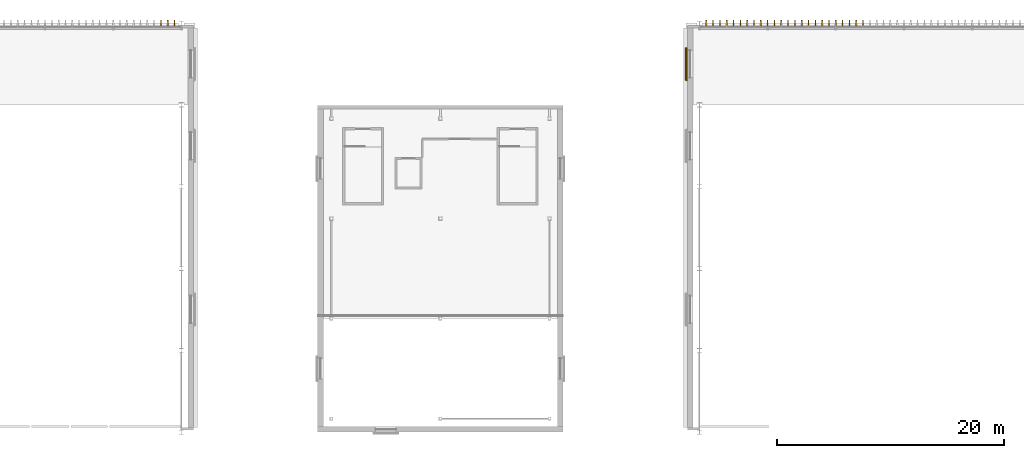
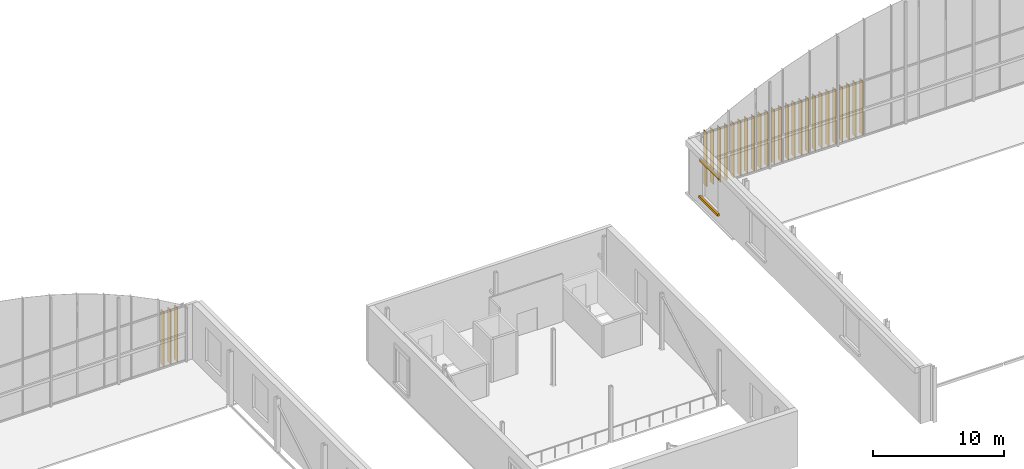
# One storey, part 87 of 93: 27 shading devices, 2 coverings.
"""IFC4 building model written with IfcOpenShell, lengths in metres."""

import ifcopenshell
import ifcopenshell.guid

model = None  # the IFC model being written
_history = None  # IfcOwnerHistory: only IFC2X3 demands one
_inside = {}  # id of a spatial element -> (the spatial element, [elements in it])
_under = {}  # id of a project, library or spatial element -> (it, [spatial elements below it])
_declared = {}  # id of a project -> (the project, [libraries it declares])
_typed = {}  # id of a type object -> (the type object, [elements of that type])
_made_of = {}  # id of a material, layer set ... -> (it, [elements and type objects made of it])


def new_model(schema):
    """Start an empty IFC model of exactly this schema.

    Asked for "IFC4X3", IfcOpenShell would pick the latest addendum, in which some entities
    have other attributes; the version numbers below select the first issue.
    IFC2X3 requires an IfcOwnerHistory on every rooted entity: one is made here for all.
    """
    global model, _history
    if schema == "IFC4X3":
        model = ifcopenshell.file(schema_version=(4, 3, 0, 0))
    else:
        model = ifcopenshell.file(schema=schema)
    _inside.clear()
    _under.clear()
    _declared.clear()
    _typed.clear()
    _made_of.clear()
    _history = None
    if model.schema == "IFC2X3":
        org = make("IfcOrganization", Name="unknown")
        user = make(
            "IfcPersonAndOrganization",
            ThePerson=make("IfcPerson", FamilyName="unknown"),
            TheOrganization=org,
        )
        app = make(
            "IfcApplication",
            ApplicationDeveloper=org,
            Version="unknown",
            ApplicationFullName="unknown",
            ApplicationIdentifier="unknown",
        )
        _history = make(
            "IfcOwnerHistory",
            OwningUser=user,
            OwningApplication=app,
            ChangeAction="ADDED",
            CreationDate=0,
        )
    return model


def make(cls, **values):
    """One entity of the class cls with the attributes given. An attribute that is None is left unset."""
    return model.create_entity(
        cls, **{name: value for name, value in values.items() if value is not None}
    )


def rooted(cls, **values):
    """An entity with a GlobalId (a new one), such as an element, a storey or a relation."""
    return make(cls, GlobalId=ifcopenshell.guid.new(), OwnerHistory=_history, **values)


def si_unit(unit_type, name, prefix=None):
    """IfcSIUnit, for example si_unit("LENGTHUNIT", "METRE", prefix="MILLI")."""
    return make("IfcSIUnit", UnitType=unit_type, Prefix=prefix, Name=name)


def assignment(units):
    """IfcUnitAssignment: the units of a project."""
    return None if units is None else make("IfcUnitAssignment", Units=units)


def point(xyz):
    """IfcCartesianPoint."""
    return None if xyz is None else make("IfcCartesianPoint", Coordinates=xyz)


def direction(xyz):
    """IfcDirection."""
    return None if xyz is None else make("IfcDirection", DirectionRatios=xyz)


def frame(location, z_axis=None, x_axis=None):
    """IfcAxis2Placement3D, a coordinate frame: its origin and axes. An axis left out is left unset."""
    return make(
        "IfcAxis2Placement3D",
        Location=point(location),
        Axis=direction(z_axis),
        RefDirection=direction(x_axis),
    )


def frame_2d(location, x_axis=None):
    """IfcAxis2Placement2D, a coordinate frame in the plane: its origin and x axis."""
    return make(
        "IfcAxis2Placement2D", Location=point(location), RefDirection=direction(x_axis)
    )


def origin():
    """The frame at (0, 0, 0) with its axes left unset."""
    return frame((0.0, 0.0, 0.0))


def origin_2d():
    """The frame at (0, 0) in the plane with its x axis left unset."""
    return frame_2d((0.0, 0.0))


def place(relative_to, where):
    """IfcLocalPlacement: puts the frame where relative to a parent placement (None: the world)."""
    return make(
        "IfcLocalPlacement", PlacementRelTo=relative_to, RelativePlacement=where
    )


def context(
    kind, dimensions, precision=None, world=None, true_north=None, identifier=None
):
    """IfcGeometricRepresentationContext, for example the 3D "Model" context."""
    return make(
        "IfcGeometricRepresentationContext",
        ContextIdentifier=identifier,
        ContextType=kind,
        CoordinateSpaceDimension=dimensions,
        Precision=precision,
        WorldCoordinateSystem=world,
        TrueNorth=true_north,
    )


def subcontext(parent, identifier, kind, view, scale=None):
    """IfcGeometricRepresentationSubContext, for example "Body" below "Model"."""
    return make(
        "IfcGeometricRepresentationSubContext",
        ContextIdentifier=identifier,
        ContextType=kind,
        ParentContext=parent,
        TargetScale=scale,
        TargetView=view,
    )


def project(units=None, contexts=None):
    """IfcProject with its units and contexts."""
    return rooted(
        "IfcProject",
        Name="project",
        RepresentationContexts=contexts,
        UnitsInContext=assignment(units),
    )


def spatial(cls, under=None, at=None, **own):
    """A site, building, storey or space (cls), placed at a placement, below another one or the project."""
    s = rooted(cls, ObjectPlacement=at, **own)
    if under is not None:
        _under.setdefault(under.id(), (under, []))[1].append(s)
    return s


def polyline(points):
    """IfcPolyline through the points."""
    return make("IfcPolyline", Points=[point(p) for p in points])


def profile(cls, at=None, kind="AREA", **sizes):
    """A parametric profile (cls). Its sizes go by their IFC names, for example OverallWidth=200.0."""
    return make(cls, ProfileType=kind, Position=at, **sizes)


def rectangle(**sizes):
    """IfcRectangleProfileDef."""
    return profile("IfcRectangleProfileDef", **sizes)


def outline(outer, holes=None, kind="AREA"):
    """IfcArbitraryClosedProfileDef: a profile drawn as a closed curve; with holes, ...WithVoids."""
    if holes is None:
        return make("IfcArbitraryClosedProfileDef", ProfileType=kind, OuterCurve=outer)
    return make(
        "IfcArbitraryProfileDefWithVoids",
        ProfileType=kind,
        OuterCurve=outer,
        InnerCurves=holes,
    )


def extrude(swept, where, along, depth):
    """IfcExtrudedAreaSolid: the profile swept, set in the frame where, extruded along a direction by depth."""
    return make(
        "IfcExtrudedAreaSolid",
        SweptArea=swept,
        Position=where,
        ExtrudedDirection=direction(along),
        Depth=depth,
    )


def shape(context_of_items, identifier, shape_type, items):
    """IfcShapeRepresentation: the items that make up one representation, for example the "Body"."""
    return make(
        "IfcShapeRepresentation",
        ContextOfItems=context_of_items,
        RepresentationIdentifier=identifier,
        RepresentationType=shape_type,
        Items=items,
    )


def material(Name=None, Category=None):
    """IfcMaterial."""
    return make("IfcMaterial", Name=Name, Category=Category)


def layer(
    of_material, thickness, ventilated=None, Name=None, Category=None, Priority=None
):
    """IfcMaterialLayer: one layer of a wall or slab, of a material (None: an air gap)."""
    return make(
        "IfcMaterialLayer",
        Material=of_material,
        LayerThickness=thickness,
        IsVentilated=ventilated,
        Name=Name,
        Category=Category,
        Priority=Priority,
    )


def layer_set(layers, Name=None):
    """IfcMaterialLayerSet."""
    return make("IfcMaterialLayerSet", MaterialLayers=layers, LayerSetName=Name)


def made_of(thing, what):
    """Note that an element or type object is made of a material, layer set ...; save() writes the relation."""
    if what is not None:
        _made_of.setdefault(what.id(), (what, []))[1].append(thing)
    return thing


def type_object(cls, material=None, **own):
    """A type object (cls), such as IfcWallType, which elements share."""
    return made_of(rooted(cls, **own), material)


def element(
    cls,
    number,
    at=None,
    inside=None,
    cuts=None,
    type_object=None,
    material=None,
    context=None,
    identifier="Body",
    shape_type=None,
    held_by="IfcProductDefinitionShape",
    body=None,
    shapes=None,
    **own,
):
    """One element of the class cls, such as IfcWall. Its Tag is "e" and its number.

    at: its placement. inside: the storey or other place that contains it. cuts: it is an
    opening in that element (IfcRelVoidsElement). A single representation is given by context,
    identifier, shape_type and body (its items); several are given by shapes. held_by: the class
    of the entity that holds the representations. save() writes the other relations.
    """
    e = rooted(cls, Tag="e%d" % number, ObjectPlacement=at, **own)
    if body is not None:
        shapes = [shape(context, identifier, shape_type, body)]
    if shapes is not None:
        e.Representation = make(held_by, Representations=shapes)
    if inside is not None:
        _inside.setdefault(inside.id(), (inside, []))[1].append(e)
    if cuts is not None:
        rooted(
            "IfcRelVoidsElement", RelatingBuildingElement=cuts, RelatedOpeningElement=e
        )
    if type_object is not None:
        _typed.setdefault(type_object.id(), (type_object, []))[1].append(e)
    return made_of(e, material)


def aggregate(whole, parts):
    """IfcRelAggregates: a whole, such as a stair, and the parts it consists of."""
    return rooted("IfcRelAggregates", RelatingObject=whole, RelatedObjects=parts)


def save(model, path):
    """Write the relations noted so far, then the file.

    IfcRelAggregates (storeys below a building ...), IfcRelContainedInSpatialStructure (elements
    in a storey), IfcRelDefinesByType, IfcRelAssociatesMaterial and IfcRelDeclares: one each for
    every whole, place, type object, material and project.
    """
    for whole, parts in _under.values():
        aggregate(whole, parts)
    for where, things in _inside.values():
        rooted(
            "IfcRelContainedInSpatialStructure",
            RelatedElements=things,
            RelatingStructure=where,
        )
    for kind, things in _typed.values():
        rooted("IfcRelDefinesByType", RelatedObjects=things, RelatingType=kind)
    for what, things in _made_of.values():
        rooted("IfcRelAssociatesMaterial", RelatedObjects=things, RelatingMaterial=what)
    for by, libraries in _declared.values():
        rooted("IfcRelDeclares", RelatingContext=by, RelatedDefinitions=libraries)
    model.write(path)


model = new_model("IFC4")

# Units and contexts
model_context = context("Model", 3, precision=1e-05, world=origin(), true_north=direction((0.0, 1.0)))
body_context = subcontext(model_context, "Body", "Model", "MODEL_VIEW")
ifc_project = project(units=[si_unit("LENGTHUNIT", "METRE"), si_unit("AREAUNIT", "SQUARE_METRE"), si_unit("VOLUMEUNIT", "CUBIC_METRE"), si_unit("PLANEANGLEUNIT", "RADIAN"), si_unit("MASSUNIT", "GRAM", prefix="KILO")], contexts=[model_context])

# Site, building, storey
site_placement = place(None, origin())
site = spatial("IfcSite", under=ifc_project, at=site_placement, CompositionType="ELEMENT")
building_placement = place(site_placement, origin())
building = spatial("IfcBuilding", under=site, at=building_placement, Name="Verrick Yard Athletic Hall", CompositionType="ELEMENT")
storey_placement = place(building_placement, frame((0.0, 0.0, 8.800048828125)))
storey = spatial("IfcBuildingStorey", under=building, at=storey_placement, Name="L02", CompositionType="ELEMENT", Elevation=8.800048828125)

# Shading devices
ifc_material_1 = material(Name="Anodised aluminium", Category="aluminium")
ifc_layer_1 = layer(ifc_material_1, 0.0625)
ifc_layer_set_1 = layer_set([ifc_layer_1], Name="Hall facade fin")
shading_device_type = type_object("IfcShadingDeviceType", Name="Hall facade fin", PredefinedType="USERDEFINED", material=ifc_layer_set_1)
for number, where, z_axis, x_axis, name in (
    (1, (122.199951171875, 107.78173828125, 0.0), (0.0, 0.0, 1.0), (0.0, 1.0, 0.0), "ENVB-HAN-FIN00"),
    (2, (122.800048828125, 107.78173828125, 0.0), (0.0, 0.0, 1.0), (0.0, 1.0, 0.0), "ENVB-HAN-FIN01"),
    (3, (123.39990234375, 107.78173828125, 0.0), (0.0, 0.0, 1.0), (0.0, 1.0, 0.0), "ENVB-HAN-FIN02"),
    (4, (124.0, 107.78173828125, 0.0), (0.0, 0.0, 1.0), (0.0, 1.0, 0.0), "ENVB-HAN-FIN03"),
    (5, (124.60009765625, 107.78173828125, 0.0), (0.0, 0.0, 1.0), (0.0, 1.0, 0.0), "ENVB-HAN-FIN04"),
    (6, (125.199951171875, 107.78173828125, 0.0), (0.0, 0.0, 1.0), (0.0, 1.0, 0.0), "ENVB-HAN-FIN05"),
    (7, (125.800048828125, 107.78173828125, 0.0), (0.0, 0.0, 1.0), (0.0, 1.0, 0.0), "ENVB-HAN-FIN06"),
    (8, (126.39990234375, 107.78173828125, 0.0), (0.0, 0.0, 1.0), (0.0, 1.0, 0.0), "ENVB-HAN-FIN07"),
    (9, (127.0, 107.78173828125, 0.0), (0.0, 0.0, 1.0), (0.0, 1.0, 0.0), "ENVB-HAN-FIN08"),
    (10, (127.60009765625, 107.78173828125, 0.0), (0.0, 0.0, 1.0), (0.0, 1.0, 0.0), "ENVB-HAN-FIN09"),
    (11, (128.199951171875, 107.78173828125, 0.0), (0.0, 0.0, 1.0), (0.0, 1.0, 0.0), "ENVB-HAN-FIN10"),
    (12, (128.800048828125, 107.78173828125, 0.0), (0.0, 0.0, 1.0), (0.0, 1.0, 0.0), "ENVB-HAN-FIN11"),
    (13, (129.39990234375, 107.78173828125, 0.0), (0.0, 0.0, 1.0), (0.0, 1.0, 0.0), "ENVB-HAN-FIN12"),
    (14, (130.0, 107.78173828125, 0.0), (0.0, 0.0, 1.0), (0.0, 1.0, 0.0), "ENVB-HAN-FIN13"),
    (15, (130.60009765625, 107.78173828125, 0.0), (0.0, 0.0, 1.0), (0.0, 1.0, 0.0), "ENVB-HAN-FIN14"),
    (16, (131.199951171875, 107.78173828125, 0.0), (0.0, 0.0, 1.0), (0.0, 1.0, 0.0), "ENVB-HAN-FIN15"),
    (17, (131.800048828125, 107.78173828125, 0.0), (0.0, 0.0, 1.0), (0.0, 1.0, 0.0), "ENVB-HAN-FIN16"),
    (18, (132.39990234375, 107.78173828125, 0.0), (0.0, 0.0, 1.0), (0.0, 1.0, 0.0), "ENVB-HAN-FIN17"),
    (19, (133.0, 107.78173828125, 0.0), (0.0, 0.0, 1.0), (0.0, 1.0, 0.0), "ENVB-HAN-FIN18"),
    (20, (133.60009765625, 107.78173828125, 0.0), (0.0, 0.0, 1.0), (0.0, 1.0, 0.0), "ENVB-HAN-FIN19"),
    (21, (134.199951171875, 107.78173828125, 0.0), (0.0, 0.0, 1.0), (0.0, 1.0, 0.0), "ENVB-HAN-FIN20"),
    (22, (134.800048828125, 107.78173828125, 0.0), (0.0, 0.0, 1.0), (0.0, 1.0, 0.0), "ENVB-HAN-FIN21"),
    (23, (135.39990234375, 107.78173828125, 0.0), (0.0, 0.0, 1.0), (0.0, 1.0, 0.0), "ENVB-HAN-FIN22"),
    (24, (136.0, 107.78173828125, 0.0), (0.0, 0.0, 1.0), (0.0, 1.0, 0.0), "ENVB-HAN-FIN23"),
    (25, (74.199951171875, 107.78173828125, 0.0), (0.0, 0.0, 1.0), (0.0, 1.0, 0.0), "ENVB-HBN-FIN76"),
    (26, (74.800048828125, 107.78173828125, 0.0), (0.0, 0.0, 1.0), (0.0, 1.0, 0.0), "ENVB-HBN-FIN77"),
    (27, (75.39990234375, 107.78173828125, 0.0), (0.0, 0.0, 1.0), (0.0, 1.0, 0.0), "ENVB-HBN-FIN78"),
):
    element("IfcShadingDevice", number, at=place(storey_placement, frame(where, z_axis=z_axis, x_axis=x_axis)), inside=storey, type_object=shading_device_type, Name=name, ObjectType="FIN", PredefinedType="USERDEFINED", context=body_context, shape_type="SweptSolid", body=[
        extrude(outline(polyline([(0.0, 0.0), (0.5, 0.0), (0.5, 5.050048828125), (0.0, 5.050048828125), (0.0, 0.0)])), frame((0.0, 0.03125, 0.0), z_axis=(0.0, -1.0, 0.0), x_axis=(1.0, 0.0, 0.0)), (0.0, 0.0, 1.0), 0.0625),
    ])

# Coverings
ifc_material_2 = material(Name="Tyndall-stone-look precast cladding", Category="masonry")
ifc_layer_2 = layer(ifc_material_2, 0.25)
ifc_layer_set_2 = layer_set([ifc_layer_2], Name="Stone moulding")
covering_type = type_object("IfcCoveringType", Name="Stone moulding", PredefinedType="MOLDING", material=ifc_layer_set_2)
covering_1_placement = place(storey_placement, frame((120.43505859375, 104.40087890625, 0.7998046875), z_axis=(0.0, 0.0, 1.0), x_axis=(0.0, 1.0, 0.0)))
element("IfcCovering", 28, at=covering_1_placement, inside=storey, type_object=covering_type, Name="Window sill", PredefinedType="MOLDING", context=body_context, shape_type="SweptSolid", body=[
    extrude(rectangle(XDim=2.89990234375, YDim=0.179931640625, at=origin_2d()), origin(), (0.0, 0.0, 1.0), 0.199951171875),
])
covering_2_placement = place(storey_placement, frame((120.47509765625, 104.40087890625, 4.19970703125), z_axis=(0.0, 0.0, 1.0), x_axis=(0.0, 1.0, 0.0)))
element("IfcCovering", 29, at=covering_2_placement, inside=storey, type_object=covering_type, Name="Window head", PredefinedType="MOLDING", context=body_context, shape_type="SweptSolid", body=[
    extrude(rectangle(XDim=2.89990234375, YDim=0.10009765625, at=origin_2d()), origin(), (0.0, 0.0, 1.0), 0.300048828125),
])

save(model, "model.ifc")
